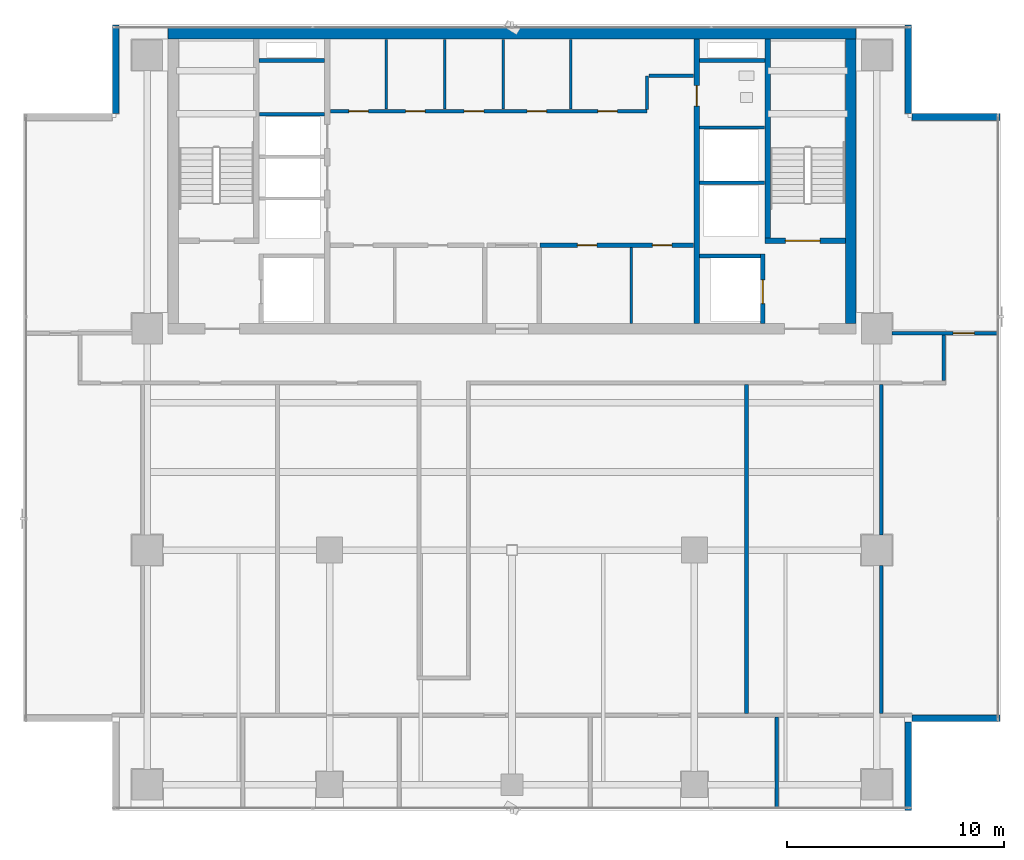
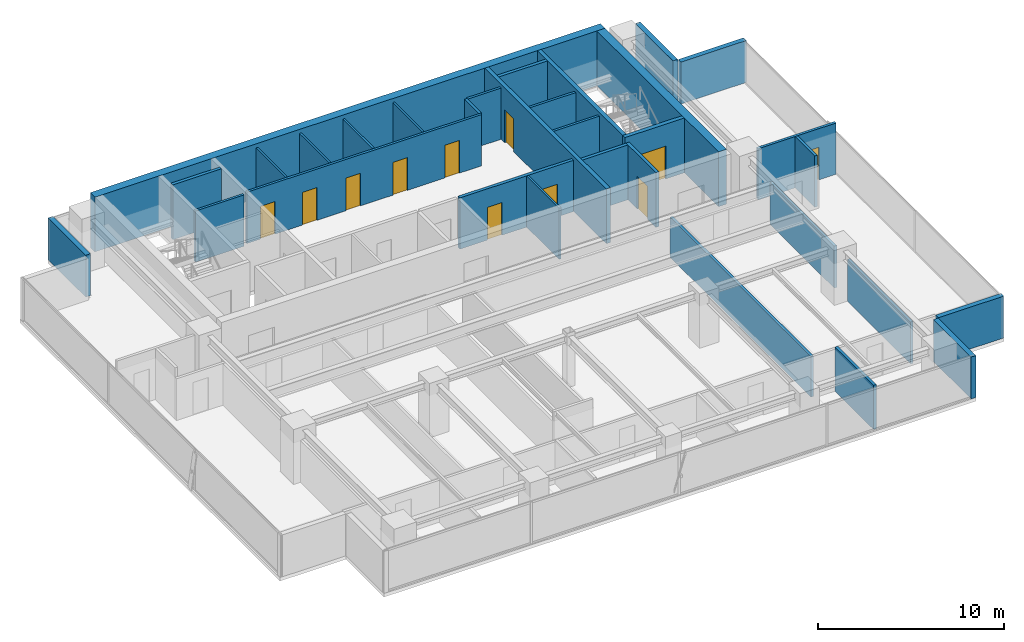
# One storey, part 21 of 26: 32 walls, 11 doors, 11 openings.
"""IFC4 building model written with IfcOpenShell, lengths in metres."""

from ifc_helpers import new_model, si_unit, direction, frame, frame_2d, origin, place, context, subcontext, project, spatial, rectangle, extrude, source, transform, mapped, material, layer, layer_set, type_object, element, fill, save


model = new_model("IFC4")

# Units and contexts
model_context = context("Model", 3, precision=1e-05, world=origin(), true_north=direction((0.0, 1.0)))
body_context = subcontext(model_context, "Body", "Model", "MODEL_VIEW")
ifc_project = project(units=[si_unit("LENGTHUNIT", "METRE"), si_unit("AREAUNIT", "SQUARE_METRE"), si_unit("VOLUMEUNIT", "CUBIC_METRE"), si_unit("PLANEANGLEUNIT", "RADIAN"), si_unit("MASSUNIT", "GRAM", prefix="KILO")], contexts=[model_context])

# Site, building, storey
site_placement = place(None, origin())
site = spatial("IfcSite", under=ifc_project, at=site_placement, CompositionType="ELEMENT")
building_placement = place(site_placement, origin())
building = spatial("IfcBuilding", under=site, at=building_placement, Name="Sumidabori Civic Tower", CompositionType="ELEMENT")
storey_placement = place(building_placement, frame((0.0, 0.0, 261.199951171875)))
storey = spatial("IfcBuildingStorey", under=building, at=storey_placement, Name="L68", CompositionType="ELEMENT", Elevation=261.199951171875)

# Walls
ifc_material_1 = material(Name="Concrete C50/60", Category="concrete")
ifc_layer_1 = layer(ifc_material_1, 0.199951171875, Name="Concrete C50/60")
ifc_layer_set_1 = layer_set([ifc_layer_1], Name="Concrete C50/60")
wall_type_1 = type_object("IfcWallType", Name="WL-SHAFT-200", PredefinedType="SHEAR", material=ifc_layer_set_1)
shared_shape_1 = source(origin(), body_context, "Body", "SweptSolid", [
    extrude(rectangle(XDim=2.824951171875, YDim=0.199951171875, at=frame_2d((1.41259765625, 0.0))), origin(), (0.0, 0.0, 1.0), 3.60009765625),
])
wall_1_placement = place(storey_placement, frame((8.625, 13.550048828125, 0.0), z_axis=(0.0, 0.0, 1.0), x_axis=(1.0, 0.0, 0.0)))
element("IfcWall", 1, at=wall_1_placement, inside=storey, type_object=wall_type_1, Name="Core Shear Wall L68 EL2-N", PredefinedType="SHEAR", context=body_context, shape_type="MappedRepresentation", body=[
    mapped(shared_shape_1, transform((0.0, 0.0, 0.0), x_axis=(1.0, 0.0, 0.0), y_axis=(0.0, 1.0, 0.0), z_axis=(0.0, 0.0, 1.0), scale=1.0)),
])
shared_shape_2 = source(origin(), body_context, "Body", "SweptSolid", [
    extrude(rectangle(XDim=3.02001953125, YDim=0.199951171875, at=frame_2d((1.510009765625, 0.0))), origin(), (0.0, 0.0, 1.0), 3.60009765625),
])
for number, where, z_axis, x_axis, name in (
    (2, (-11.64501953125, 22.550048828125, 0.0), (0.0, 0.0, 1.0), (1.0, 0.0, 0.0), "Core Shear Wall L68 RIS1-S"),
    (3, (8.625, 22.550048828125, 0.0), (0.0, 0.0, 1.0), (1.0, 0.0, 0.0), "Core Shear Wall L68 RIS2-S"),
):
    element("IfcWall", number, at=place(storey_placement, frame(where, z_axis=z_axis, x_axis=x_axis)), inside=storey, type_object=wall_type_1, Name=name, PredefinedType="SHEAR", context=body_context, shape_type="MappedRepresentation", body=[
        mapped(shared_shape_2, transform((0.0, 0.0, 0.0), x_axis=(1.0, 0.0, 0.0), y_axis=(0.0, 1.0, 0.0), z_axis=(0.0, 0.0, 1.0), scale=1.0)),
    ])
ifc_layer_2 = layer(ifc_material_1, 0.5, Name="Concrete C50/60")
ifc_layer_set_2 = layer_set([ifc_layer_2], Name="Concrete C50/60")
wall_type_2 = type_object("IfcWallType", Name="WL-CORE-500", PredefinedType="SHEAR", material=ifc_layer_set_2)
shared_shape_3 = source(origin(), body_context, "Body", "SweptSolid", [
    extrude(rectangle(XDim=31.7001953125, YDim=0.5, at=frame_2d((15.85009765625, 0.0))), origin(), (0.0, 0.0, 1.0), 3.60009765625),
])
wall_2_placement = place(storey_placement, frame((-15.85009765625, 23.800048828125, 0.0), z_axis=(0.0, 0.0, 1.0), x_axis=(1.0, 0.0, 0.0)))
element("IfcWall", 4, at=wall_2_placement, inside=storey, type_object=wall_type_2, Name="Core Shear Wall L68 N", PredefinedType="SHEAR", context=body_context, shape_type="MappedRepresentation", body=[
    mapped(shared_shape_3, transform((0.0, 0.0, 0.0), x_axis=(1.0, 0.0, 0.0), y_axis=(0.0, 1.0, 0.0), z_axis=(0.0, 0.0, 1.0), scale=1.0)),
])
shared_shape_4 = source(origin(), body_context, "Body", "SweptSolid", [
    extrude(rectangle(XDim=13.10009765625, YDim=0.5, at=frame_2d((6.550048828125, 0.0))), origin(), (0.0, 0.0, 1.0), 3.60009765625),
])
wall_3_placement = place(storey_placement, frame((15.60009765625, 10.449951171875, 0.0), z_axis=(0.0, 0.0, 1.0), x_axis=(0.0, 1.0, 0.0)))
element("IfcWall", 5, at=wall_3_placement, inside=storey, type_object=wall_type_2, Name="Core Shear Wall L68 E", PredefinedType="SHEAR", context=body_context, shape_type="MappedRepresentation", body=[
    mapped(shared_shape_4, transform((0.0, 0.0, 0.0), x_axis=(1.0, 0.0, 0.0), y_axis=(0.0, 1.0, 0.0), z_axis=(0.0, 0.0, 1.0), scale=1.0)),
])

# Wall, opening, door
ifc_layer_3 = layer(ifc_material_1, 0.25, Name="Concrete C50/60")
ifc_layer_set_3 = layer_set([ifc_layer_3], Name="Concrete C50/60")
wall_type_3 = type_object("IfcWallType", Name="WL-SHAFT-250", PredefinedType="SHEAR", material=ifc_layer_set_3)
shared_shape_5 = source(origin(), body_context, "Body", "SweptSolid", [
    extrude(rectangle(XDim=13.10009765625, YDim=0.25, at=frame_2d((6.550048828125, 0.0))), origin(), (0.0, 0.0, 1.0), 3.60009765625),
])
wall_4_placement = place(storey_placement, frame((8.5, 10.449951171875, 0.0), z_axis=(0.0, 0.0, 1.0), x_axis=(0.0, 1.0, 0.0)))
wall_4 = element("IfcWall", 6, at=wall_4_placement, inside=storey, type_object=wall_type_3, Name="Core Shear Wall L68 WEB-E", PredefinedType="SHEAR", context=body_context, shape_type="MappedRepresentation", body=[
    mapped(shared_shape_5, transform((0.0, 0.0, 0.0), x_axis=(1.0, 0.0, 0.0), y_axis=(0.0, 1.0, 0.0), z_axis=(0.0, 0.0, 1.0), scale=1.0)),
])
opening_1_placement = place(wall_4_placement, frame((10.0, 0.0, 0.0)))
opening_1 = element("IfcOpeningElement", 7, at=opening_1_placement, cuts=wall_4, Name="Opening DR-2", PredefinedType="OPENING", context=body_context, shape_type="SweptSolid", body=[
    extrude(rectangle(XDim=0.949951171875, YDim=2.14990234375, at=frame_2d((0.47509765625, 1.074951171875))), frame((0.0, 0.136962890625, 0.0), z_axis=(0.0, -1.0, 0.0), x_axis=(1.0, 0.0, 0.0)), (0.0, 0.0, 1.0), 0.27392578125),
])
ifc_material_2 = material(Name="Japanese Hinoki Timber", Category="wood")
door_type_1 = type_object("IfcDoorType", Name="DR-INT-950", OperationType="NOTDEFINED", PredefinedType="DOOR", material=ifc_material_2)
shared_shape_6 = source(origin(), body_context, "Body", "SweptSolid", [
    extrude(rectangle(XDim=0.949951171875, YDim=2.14990234375, at=frame_2d((0.47509765625, 1.074951171875))), frame((0.0, 0.02490234375, 0.0), z_axis=(0.0, -1.0, 0.0), x_axis=(1.0, 0.0, 0.0)), (0.0, 0.0, 1.0), 0.050048828125),
])
door_1_placement = place(opening_1_placement, origin())
door_1 = element("IfcDoor", 8, at=door_1_placement, inside=storey, type_object=door_type_1, Name="Door DR:L68:WC-ACC", OperationType="SINGLE_SWING_RIGHT", OverallHeight=2.14990234375, OverallWidth=0.949951171875, PredefinedType="DOOR", context=body_context, shape_type="MappedRepresentation", body=[
    mapped(shared_shape_6, transform((0.0, 0.0, 0.0), x_axis=(1.0, 0.0, 0.0), y_axis=(0.0, 1.0, 0.0), z_axis=(0.0, 0.0, 1.0), scale=1.0)),
])
fill(opening_1, door_1)

shared_shape_7 = source(origin(), body_context, "Body", "SweptSolid", [
    extrude(rectangle(XDim=3.705078125, YDim=0.25, at=frame_2d((1.8525390625, 0.0))), origin(), (0.0, 0.0, 1.0), 3.60009765625),
])
wall_5_placement = place(storey_placement, frame((11.64501953125, 14.25, 0.0), z_axis=(0.0, 0.0, 1.0), x_axis=(1.0, 0.0, 0.0)))
wall_5 = element("IfcWall", 9, at=wall_5_placement, inside=storey, type_object=wall_type_3, Name="Core Shear Wall L68 ST2-S", PredefinedType="SHEAR", context=body_context, shape_type="MappedRepresentation", body=[
    mapped(shared_shape_7, transform((0.0, 0.0, 0.0), x_axis=(1.0, 0.0, 0.0), y_axis=(0.0, 1.0, 0.0), z_axis=(0.0, 0.0, 1.0), scale=1.0)),
])
opening_2_placement = place(wall_5_placement, frame((0.949951171875, 0.0, 0.0)))
opening_2 = element("IfcOpeningElement", 10, at=opening_2_placement, cuts=wall_5, Name="Opening DR-FD4", PredefinedType="OPENING", context=body_context, shape_type="SweptSolid", body=[
    extrude(rectangle(XDim=1.60009765625, YDim=2.14990234375, at=frame_2d((0.800048828125, 1.074951171875))), frame((0.0, 0.136962890625, 0.0), z_axis=(0.0, -1.0, 0.0), x_axis=(1.0, 0.0, 0.0)), (0.0, 0.0, 1.0), 0.27392578125),
])
ifc_material_3 = material(Name="Steel SN490", Category="steel")
door_type_2 = type_object("IfcDoorType", Name="DR-FD4", OperationType="DOUBLE_DOOR_SINGLE_SWING", PredefinedType="DOOR", material=ifc_material_3)
shared_shape_8 = source(origin(), body_context, "Body", "SweptSolid", [
    extrude(rectangle(XDim=1.60009765625, YDim=2.14990234375, at=frame_2d((0.800048828125, 1.074951171875))), frame((0.0, 0.02490234375, 0.0), z_axis=(0.0, -1.0, 0.0), x_axis=(1.0, 0.0, 0.0)), (0.0, 0.0, 1.0), 0.050048828125),
])
door_2_placement = place(opening_2_placement, origin())
door_2 = element("IfcDoor", 11, at=door_2_placement, inside=storey, type_object=door_type_2, Name="Door DR:L68:ST2", OperationType="DOUBLE_DOOR_SINGLE_SWING", OverallHeight=2.14990234375, OverallWidth=1.60009765625, PredefinedType="DOOR", context=body_context, shape_type="MappedRepresentation", body=[
    mapped(shared_shape_8, transform((0.0, 0.0, 0.0), x_axis=(1.0, 0.0, 0.0), y_axis=(0.0, 1.0, 0.0), z_axis=(0.0, 0.0, 1.0), scale=1.0)),
])
fill(opening_2, door_2)

# Wall
shared_shape_9 = source(origin(), body_context, "Body", "SweptSolid", [
    extrude(rectangle(XDim=9.175048828125, YDim=0.25, at=frame_2d((4.58740234375, 0.0))), origin(), (0.0, 0.0, 1.0), 3.60009765625),
])
wall_6_placement = place(storey_placement, frame((11.77001953125, 14.375, 0.0), z_axis=(0.0, 0.0, 1.0), x_axis=(0.0, 1.0, 0.0)))
element("IfcWall", 12, at=wall_6_placement, inside=storey, type_object=wall_type_3, Name="Core Shear Wall L68 ST2-W", PredefinedType="SHEAR", context=body_context, shape_type="MappedRepresentation", body=[
    mapped(shared_shape_9, transform((0.0, 0.0, 0.0), x_axis=(1.0, 0.0, 0.0), y_axis=(0.0, 1.0, 0.0), z_axis=(0.0, 0.0, 1.0), scale=1.0)),
])

# Wall, opening, door
shared_shape_10 = source(origin(), body_context, "Body", "SweptSolid", [
    extrude(rectangle(XDim=3.199951171875, YDim=0.199951171875, at=frame_2d((1.60009765625, 0.0))), origin(), (0.0, 0.0, 1.0), 3.60009765625),
])
wall_7_placement = place(storey_placement, frame((11.550048828125, 10.449951171875, 0.0), z_axis=(0.0, 0.0, 1.0), x_axis=(0.0, 1.0, 0.0)))
wall_7 = element("IfcWall", 13, at=wall_7_placement, inside=storey, type_object=wall_type_1, Name="Core Shear Wall L68 EL2-E", PredefinedType="SHEAR", context=body_context, shape_type="MappedRepresentation", body=[
    mapped(shared_shape_10, transform((0.0, 0.0, 0.0), x_axis=(1.0, 0.0, 0.0), y_axis=(0.0, 1.0, 0.0), z_axis=(0.0, 0.0, 1.0), scale=1.0)),
])
opening_3_placement = place(wall_7_placement, frame((0.89990234375, 0.0, 0.0)))
opening_3 = element("IfcOpeningElement", 14, at=opening_3_placement, cuts=wall_7, Name="Opening LD-2", PredefinedType="OPENING", context=body_context, shape_type="SweptSolid", body=[
    extrude(rectangle(XDim=1.10009765625, YDim=2.14990234375, at=frame_2d((0.550048828125, 1.074951171875))), frame((0.0, 0.11181640625, 0.0), z_axis=(0.0, -1.0, 0.0), x_axis=(1.0, 0.0, 0.0)), (0.0, 0.0, 1.0), 0.223876953125),
])
ifc_material_4 = material(Name="Stainless Steel Hairline Finish", Category="steel")
door_type_3 = type_object("IfcDoorType", Name="DR-LD2", OperationType="DOUBLE_DOOR_SLIDING", PredefinedType="DOOR", material=ifc_material_4)
shared_shape_11 = source(origin(), body_context, "Body", "SweptSolid", [
    extrude(rectangle(XDim=1.10009765625, YDim=2.14990234375, at=frame_2d((0.550048828125, 1.074951171875))), frame((0.0, 0.02490234375, 0.0), z_axis=(0.0, -1.0, 0.0), x_axis=(1.0, 0.0, 0.0)), (0.0, 0.0, 1.0), 0.050048828125),
])
door_3_placement = place(opening_3_placement, origin())
door_3 = element("IfcDoor", 15, at=door_3_placement, inside=storey, type_object=door_type_3, Name="Door DR:L68:LD-EL2", OperationType="DOUBLE_DOOR_SLIDING", OverallHeight=2.14990234375, OverallWidth=1.10009765625, PredefinedType="DOOR", context=body_context, shape_type="MappedRepresentation", body=[
    mapped(shared_shape_11, transform((0.0, 0.0, 0.0), x_axis=(1.0, 0.0, 0.0), y_axis=(0.0, 1.0, 0.0), z_axis=(0.0, 0.0, 1.0), scale=1.0)),
])
fill(opening_3, door_3)

# Walls
ifc_material_5 = material(Name="Precast concrete C40/50", Category="concrete")
ifc_layer_4 = layer(ifc_material_5, 0.300048828125, Name="Precast concrete C40/50")
ifc_layer_set_4 = layer_set([ifc_layer_4], Name="Precast concrete C40/50")
wall_type_4 = type_object("IfcWallType", Name="WL-EXT-POD300", PredefinedType="STANDARD", material=ifc_layer_set_4)
shared_shape_12 = source(origin(), body_context, "Body", "SweptSolid", [
    extrude(rectangle(XDim=4.06005859375, YDim=0.300048828125, at=frame_2d((2.030029296875, 0.0))), origin(), (0.0, 0.0, 1.0), 2.75),
])
for number, where, z_axis, x_axis, name in (
    (16, (18.25, -11.97998046875, 0.0), (0.0, 0.0, 1.0), (0.0, 1.0, 0.0), "Notched Corner Spandrel Band L68-02"),
    (17, (18.419921875, -7.75, 0.0), (0.0, 0.0, 1.0), (1.0, 0.0, 0.0), "Notched Corner Spandrel Band L68-03"),
    (18, (22.47998046875, 19.949951171875, 0.0), (0.0, 0.0, 1.0), (-1.0, 0.0, 0.0), "Notched Corner Spandrel Band L68-05"),
):
    element("IfcWall", number, at=place(storey_placement, frame(where, z_axis=z_axis, x_axis=x_axis)), inside=storey, type_object=wall_type_4, Name=name, PredefinedType="STANDARD", context=body_context, shape_type="MappedRepresentation", body=[
        mapped(shared_shape_12, transform((0.0, 0.0, 0.0), x_axis=(1.0, 0.0, 0.0), y_axis=(0.0, 1.0, 0.0), z_axis=(0.0, 0.0, 1.0), scale=1.0)),
    ])
shared_shape_13 = source(origin(), body_context, "Body", "SweptSolid", [
    extrude(rectangle(XDim=4.059814453125, YDim=0.300048828125, at=frame_2d((2.02978515625, 0.0))), origin(), (0.0, 0.0, 1.0), 2.75),
])
for number, where, z_axis, x_axis, name in (
    (19, (18.25, 20.1201171875, 0.0), (0.0, 0.0, 1.0), (0.0, 1.0, 0.0), "Notched Corner Spandrel Band L68-06"),
    (20, (-18.25, 24.179931640625, 0.0), (0.0, 0.0, 1.0), (0.0, -1.0, 0.0), "Notched Corner Spandrel Band L68-08"),
):
    element("IfcWall", number, at=place(storey_placement, frame(where, z_axis=z_axis, x_axis=x_axis)), inside=storey, type_object=wall_type_4, Name=name, PredefinedType="STANDARD", context=body_context, shape_type="MappedRepresentation", body=[
        mapped(shared_shape_13, transform((0.0, 0.0, 0.0), x_axis=(1.0, 0.0, 0.0), y_axis=(0.0, 1.0, 0.0), z_axis=(0.0, 0.0, 1.0), scale=1.0)),
    ])
ifc_material_6 = material(Name="Gypsum Plasterboard Acoustic Partition")
ifc_layer_5 = layer(ifc_material_6, 0.14990234375, Name="Gypsum Plasterboard Acoustic Partition")
ifc_layer_set_5 = layer_set([ifc_layer_5], Name="Gypsum Plasterboard Acoustic Partition")
wall_type_5 = type_object("IfcWallType", Name="WL-PART-150", PredefinedType="PARTITIONING", material=ifc_layer_set_5)
shared_shape_14 = source(origin(), body_context, "Body", "SweptSolid", [
    extrude(rectangle(XDim=3.010009765625, YDim=0.14990234375, at=frame_2d((1.5048828125, 0.0))), origin(), (0.0, 0.0, 1.0), 3.3701171875),
])
for number, where, z_axis, x_axis, name in (
    (21, (-11.639892578125, 20.080078125, 0.0), (0.0, 0.0, 1.0), (1.0, 0.0, 0.0), "Interior Partition WL:L68:DIV-PLH3"),
    (22, (8.6298828125, 16.919921875, 0.0), (0.0, 0.0, 1.0), (1.0, 0.0, 0.0), "Interior Partition WL:L68:DIV-OBS1"),
    (23, (8.6298828125, 19.469970703125, 0.0), (0.0, 0.0, 1.0), (1.0, 0.0, 0.0), "Interior Partition WL:L68:DIV-OBS2"),
):
    element("IfcWall", number, at=place(storey_placement, frame(where, z_axis=z_axis, x_axis=x_axis)), inside=storey, type_object=wall_type_5, Name=name, PredefinedType="PARTITIONING", context=body_context, shape_type="MappedRepresentation", body=[
        mapped(shared_shape_14, transform((0.0, 0.0, 0.0), x_axis=(1.0, 0.0, 0.0), y_axis=(0.0, 1.0, 0.0), z_axis=(0.0, 0.0, 1.0), scale=1.0)),
    ])

# Wall, openings, doors
ifc_material_7 = material(Name="Gypsum Plasterboard Fire Partition")
ifc_layer_6 = layer(ifc_material_7, 0.199951171875, Name="Gypsum Plasterboard Fire Partition")
ifc_layer_set_6 = layer_set([ifc_layer_6], Name="Gypsum Plasterboard Fire Partition")
wall_type_6 = type_object("IfcWallType", Name="WL-PART-FIRE", PredefinedType="PARTITIONING", material=ifc_layer_set_6)
shared_shape_15 = source(origin(), body_context, "Body", "SweptSolid", [
    extrude(rectangle(XDim=7.070068359375, YDim=0.199951171875, at=frame_2d((3.53515625, 0.0))), origin(), (0.0, 0.0, 1.0), 3.3701171875),
])
wall_8_placement = place(storey_placement, frame((1.300048828125, 14.050048828125, 0.0), z_axis=(0.0, 0.0, 1.0), x_axis=(1.0, 0.0, 0.0)))
wall_8 = element("IfcWall", 24, at=wall_8_placement, inside=storey, type_object=wall_type_6, Name="Interior Partition WL:L68:CBAND-SE", PredefinedType="PARTITIONING", context=body_context, shape_type="MappedRepresentation", body=[
    mapped(shared_shape_15, transform((0.0, 0.0, 0.0), x_axis=(1.0, 0.0, 0.0), y_axis=(0.0, 1.0, 0.0), z_axis=(0.0, 0.0, 1.0), scale=1.0)),
])
opening_4_placement = place(wall_8_placement, frame((1.7099609375, 0.0, 0.0)))
opening_4 = element("IfcOpeningElement", 25, at=opening_4_placement, cuts=wall_8, Name="Opening DR-1", PredefinedType="OPENING", context=body_context, shape_type="SweptSolid", body=[
    extrude(rectangle(XDim=0.89990234375, YDim=2.14990234375, at=frame_2d((0.449951171875, 1.074951171875))), frame((0.0, 0.11181640625, 0.0), z_axis=(0.0, -1.0, 0.0), x_axis=(1.0, 0.0, 0.0)), (0.0, 0.0, 1.0), 0.223876953125),
])
opening_5_placement = place(wall_8_placement, frame((5.159912109375, 0.0, 0.0)))
opening_5 = element("IfcOpeningElement", 26, at=opening_5_placement, cuts=wall_8, Name="Opening DR-1", PredefinedType="OPENING", context=body_context, shape_type="SweptSolid", body=[
    extrude(rectangle(XDim=0.89990234375, YDim=2.14990234375, at=frame_2d((0.449951171875, 1.074951171875))), frame((0.0, 0.11181640625, 0.0), z_axis=(0.0, -1.0, 0.0), x_axis=(1.0, 0.0, 0.0)), (0.0, 0.0, 1.0), 0.223876953125),
])
door_type_4 = type_object("IfcDoorType", Name="DR-INT-900", OperationType="NOTDEFINED", PredefinedType="DOOR", material=ifc_material_2)
shared_shape_16 = source(origin(), body_context, "Body", "SweptSolid", [
    extrude(rectangle(XDim=0.89990234375, YDim=2.14990234375, at=frame_2d((0.449951171875, 1.074951171875))), frame((0.0, 0.02490234375, 0.0), z_axis=(0.0, -1.0, 0.0), x_axis=(1.0, 0.0, 0.0)), (0.0, 0.0, 1.0), 0.050048828125),
])
door_4_placement = place(opening_4_placement, origin())
door_4 = element("IfcDoor", 27, at=door_4_placement, inside=storey, type_object=door_type_4, Name="Door DR:L68:REC-B2A", OperationType="SINGLE_SWING_LEFT", OverallHeight=2.14990234375, OverallWidth=0.89990234375, PredefinedType="DOOR", context=body_context, shape_type="MappedRepresentation", body=[
    mapped(shared_shape_16, transform((0.0, 0.0, 0.0), x_axis=(1.0, 0.0, 0.0), y_axis=(0.0, 1.0, 0.0), z_axis=(0.0, 0.0, 1.0), scale=1.0)),
])
fill(opening_4, door_4)
door_5_placement = place(opening_5_placement, origin())
door_5 = element("IfcDoor", 28, at=door_5_placement, inside=storey, type_object=door_type_4, Name="Door DR:L68:REC-B2B", OperationType="SINGLE_SWING_RIGHT", OverallHeight=2.14990234375, OverallWidth=0.89990234375, PredefinedType="DOOR", context=body_context, shape_type="MappedRepresentation", body=[
    mapped(shared_shape_16, transform((0.0, 0.0, 0.0), x_axis=(1.0, 0.0, 0.0), y_axis=(0.0, 1.0, 0.0), z_axis=(0.0, 0.0, 1.0), scale=1.0)),
])
fill(opening_5, door_5)

shared_shape_17 = source(origin(), body_context, "Body", "SweptSolid", [
    extrude(rectangle(XDim=14.590087890625, YDim=0.14990234375, at=frame_2d((7.294921875, 0.0))), origin(), (0.0, 0.0, 1.0), 3.3701171875),
])
wall_9_placement = place(storey_placement, frame((-8.3701171875, 20.219970703125, 0.0), z_axis=(0.0, 0.0, 1.0), x_axis=(1.0, 0.0, 0.0)))
wall_9 = element("IfcWall", 29, at=wall_9_placement, inside=storey, type_object=wall_type_5, Name="Interior Partition WL:L68:CBAND-M", PredefinedType="PARTITIONING", context=body_context, shape_type="MappedRepresentation", body=[
    mapped(shared_shape_17, transform((0.0, 0.0, 0.0), x_axis=(1.0, 0.0, 0.0), y_axis=(0.0, 1.0, 0.0), z_axis=(0.0, 0.0, 1.0), scale=1.0)),
])
opening_6_placement = place(wall_9_placement, frame((0.860107421875, 0.0, 0.0)))
opening_6 = element("IfcOpeningElement", 30, at=opening_6_placement, cuts=wall_9, Name="Opening DR-1", PredefinedType="OPENING", context=body_context, shape_type="SweptSolid", body=[
    extrude(rectangle(XDim=0.89990234375, YDim=2.14990234375, at=frame_2d((0.449951171875, 1.074951171875))), frame((0.0, 0.0869140625, 0.0), z_axis=(0.0, -1.0, 0.0), x_axis=(1.0, 0.0, 0.0)), (0.0, 0.0, 1.0), 0.173828125),
])
opening_7_placement = place(wall_9_placement, frame((3.469970703125, 0.0, 0.0)))
opening_7 = element("IfcOpeningElement", 31, at=opening_7_placement, cuts=wall_9, Name="Opening DR-1", PredefinedType="OPENING", context=body_context, shape_type="SweptSolid", body=[
    extrude(rectangle(XDim=0.89990234375, YDim=2.14990234375, at=frame_2d((0.449951171875, 1.074951171875))), frame((0.0, 0.0869140625, 0.0), z_axis=(0.0, -1.0, 0.0), x_axis=(1.0, 0.0, 0.0)), (0.0, 0.0, 1.0), 0.173828125),
])
opening_8_placement = place(wall_9_placement, frame((6.169921875, 0.0, 0.0)))
opening_8 = element("IfcOpeningElement", 32, at=opening_8_placement, cuts=wall_9, Name="Opening DR-1", PredefinedType="OPENING", context=body_context, shape_type="SweptSolid", body=[
    extrude(rectangle(XDim=0.89990234375, YDim=2.14990234375, at=frame_2d((0.449951171875, 1.074951171875))), frame((0.0, 0.0869140625, 0.0), z_axis=(0.0, -1.0, 0.0), x_axis=(1.0, 0.0, 0.0)), (0.0, 0.0, 1.0), 0.173828125),
])
opening_9_placement = place(wall_9_placement, frame((9.070068359375, 0.0, 0.0)))
opening_9 = element("IfcOpeningElement", 33, at=opening_9_placement, cuts=wall_9, Name="Opening DR-1", PredefinedType="OPENING", context=body_context, shape_type="SweptSolid", body=[
    extrude(rectangle(XDim=0.89990234375, YDim=2.14990234375, at=frame_2d((0.449951171875, 1.074951171875))), frame((0.0, 0.0869140625, 0.0), z_axis=(0.0, -1.0, 0.0), x_axis=(1.0, 0.0, 0.0)), (0.0, 0.0, 1.0), 0.173828125),
])
opening_10_placement = place(wall_9_placement, frame((12.320068359375, 0.0, 0.0)))
opening_10 = element("IfcOpeningElement", 34, at=opening_10_placement, cuts=wall_9, Name="Opening DR-1", PredefinedType="OPENING", context=body_context, shape_type="SweptSolid", body=[
    extrude(rectangle(XDim=0.89990234375, YDim=2.14990234375, at=frame_2d((0.449951171875, 1.074951171875))), frame((0.0, 0.0869140625, 0.0), z_axis=(0.0, -1.0, 0.0), x_axis=(1.0, 0.0, 0.0)), (0.0, 0.0, 1.0), 0.173828125),
])
door_6_placement = place(opening_6_placement, origin())
door_6 = element("IfcDoor", 35, at=door_6_placement, inside=storey, type_object=door_type_4, Name="Door DR:L68:CB-1", OperationType="SINGLE_SWING_LEFT", OverallHeight=2.14990234375, OverallWidth=0.89990234375, PredefinedType="DOOR", context=body_context, shape_type="MappedRepresentation", body=[
    mapped(shared_shape_16, transform((0.0, 0.0, 0.0), x_axis=(1.0, 0.0, 0.0), y_axis=(0.0, 1.0, 0.0), z_axis=(0.0, 0.0, 1.0), scale=1.0)),
])
fill(opening_6, door_6)
door_7_placement = place(opening_7_placement, origin())
door_7 = element("IfcDoor", 36, at=door_7_placement, inside=storey, type_object=door_type_4, Name="Door DR:L68:CB-2", OperationType="SINGLE_SWING_RIGHT", OverallHeight=2.14990234375, OverallWidth=0.89990234375, PredefinedType="DOOR", context=body_context, shape_type="MappedRepresentation", body=[
    mapped(shared_shape_16, transform((0.0, 0.0, 0.0), x_axis=(1.0, 0.0, 0.0), y_axis=(0.0, 1.0, 0.0), z_axis=(0.0, 0.0, 1.0), scale=1.0)),
])
fill(opening_7, door_7)
door_8_placement = place(opening_8_placement, origin())
door_8 = element("IfcDoor", 37, at=door_8_placement, inside=storey, type_object=door_type_4, Name="Door DR:L68:CB-3", OperationType="SINGLE_SWING_LEFT", OverallHeight=2.14990234375, OverallWidth=0.89990234375, PredefinedType="DOOR", context=body_context, shape_type="MappedRepresentation", body=[
    mapped(shared_shape_16, transform((0.0, 0.0, 0.0), x_axis=(1.0, 0.0, 0.0), y_axis=(0.0, 1.0, 0.0), z_axis=(0.0, 0.0, 1.0), scale=1.0)),
])
fill(opening_8, door_8)
door_9_placement = place(opening_9_placement, origin())
door_9 = element("IfcDoor", 38, at=door_9_placement, inside=storey, type_object=door_type_4, Name="Door DR:L68:CB-4", OperationType="SINGLE_SWING_RIGHT", OverallHeight=2.14990234375, OverallWidth=0.89990234375, PredefinedType="DOOR", context=body_context, shape_type="MappedRepresentation", body=[
    mapped(shared_shape_16, transform((0.0, 0.0, 0.0), x_axis=(1.0, 0.0, 0.0), y_axis=(0.0, 1.0, 0.0), z_axis=(0.0, 0.0, 1.0), scale=1.0)),
])
fill(opening_9, door_9)
door_10_placement = place(opening_10_placement, origin())
door_10 = element("IfcDoor", 39, at=door_10_placement, inside=storey, type_object=door_type_4, Name="Door DR:L68:CB-5", OperationType="SINGLE_SWING_LEFT", OverallHeight=2.14990234375, OverallWidth=0.89990234375, PredefinedType="DOOR", context=body_context, shape_type="MappedRepresentation", body=[
    mapped(shared_shape_16, transform((0.0, 0.0, 0.0), x_axis=(1.0, 0.0, 0.0), y_axis=(0.0, 1.0, 0.0), z_axis=(0.0, 0.0, 1.0), scale=1.0)),
])
fill(opening_10, door_10)

# Walls
shared_shape_18 = source(origin(), body_context, "Body", "SweptSolid", [
    extrude(rectangle(XDim=1.550048828125, YDim=0.14990234375, at=frame_2d((0.77490234375, 0.0))), origin(), (0.0, 0.0, 1.0), 3.3701171875),
])
wall_10_placement = place(storey_placement, frame((6.219970703125, 20.300048828125, 0.0), z_axis=(0.0, 0.0, 1.0), x_axis=(0.0, 1.0, 0.0)))
element("IfcWall", 40, at=wall_10_placement, inside=storey, type_object=wall_type_5, Name="Interior Partition WL:L68:CBAND-ME1", PredefinedType="PARTITIONING", context=body_context, shape_type="MappedRepresentation", body=[
    mapped(shared_shape_18, transform((0.0, 0.0, 0.0), x_axis=(1.0, 0.0, 0.0), y_axis=(0.0, 1.0, 0.0), z_axis=(0.0, 0.0, 1.0), scale=1.0)),
])
shared_shape_19 = source(origin(), body_context, "Body", "SweptSolid", [
    extrude(rectangle(XDim=2.070068359375, YDim=0.14990234375, at=frame_2d((1.03515625, 0.0))), origin(), (0.0, 0.0, 1.0), 3.3701171875),
])
wall_11_placement = place(storey_placement, frame((6.300048828125, 21.85009765625, 0.0), z_axis=(0.0, 0.0, 1.0), x_axis=(1.0, 0.0, 0.0)))
element("IfcWall", 41, at=wall_11_placement, inside=storey, type_object=wall_type_5, Name="Interior Partition WL:L68:CBAND-ME2", PredefinedType="PARTITIONING", context=body_context, shape_type="MappedRepresentation", body=[
    mapped(shared_shape_19, transform((0.0, 0.0, 0.0), x_axis=(1.0, 0.0, 0.0), y_axis=(0.0, 1.0, 0.0), z_axis=(0.0, 0.0, 1.0), scale=1.0)),
])
ifc_layer_7 = layer(ifc_material_6, 0.1201171875, Name="Gypsum Plasterboard Acoustic Partition")
ifc_layer_set_7 = layer_set([ifc_layer_7], Name="Gypsum Plasterboard Acoustic Partition")
wall_type_7 = type_object("IfcWallType", Name="WL-PART-120", PredefinedType="PARTITIONING", material=ifc_layer_set_7)
shared_shape_20 = source(origin(), body_context, "Body", "SweptSolid", [
    extrude(rectangle(XDim=3.489990234375, YDim=0.1201171875, at=frame_2d((1.7451171875, 0.0))), origin(), (0.0, 0.0, 1.0), 3.3701171875),
])
wall_12_placement = place(storey_placement, frame((5.5, 10.449951171875, 0.0), z_axis=(0.0, 0.0, 1.0), x_axis=(0.0, 1.0, 0.0)))
element("IfcWall", 42, at=wall_12_placement, inside=storey, type_object=wall_type_7, Name="Interior Partition WL:L68:REC-B2-SP", PredefinedType="PARTITIONING", context=body_context, shape_type="MappedRepresentation", body=[
    mapped(shared_shape_20, transform((0.0, 0.0, 0.0), x_axis=(1.0, 0.0, 0.0), y_axis=(0.0, 1.0, 0.0), z_axis=(0.0, 0.0, 1.0), scale=1.0)),
])
shared_shape_21 = source(origin(), body_context, "Body", "SweptSolid", [
    extrude(rectangle(XDim=3.18994140625, YDim=0.1201171875, at=frame_2d((1.594970703125, 0.0))), origin(), (0.0, 0.0, 1.0), 3.3701171875),
])
for number, where, z_axis, x_axis, name in (
    (43, (-5.800048828125, 20.320068359375, 0.0), (0.0, 0.0, 1.0), (0.0, 1.0, 0.0), "Interior Partition WL:L68:LV8-S1"),
    (44, (-3.10009765625, 20.320068359375, 0.0), (0.0, 0.0, 1.0), (0.0, 1.0, 0.0), "Interior Partition WL:L68:LV8-S2"),
    (45, (-0.39990234375, 20.320068359375, 0.0), (0.0, 0.0, 1.0), (0.0, 1.0, 0.0), "Interior Partition WL:L68:LV8-S3"),
    (46, (2.699951171875, 20.320068359375, 0.0), (0.0, 0.0, 1.0), (0.0, 1.0, 0.0), "Interior Partition WL:L68:LV8-S4"),
):
    element("IfcWall", number, at=place(storey_placement, frame(where, z_axis=z_axis, x_axis=x_axis)), inside=storey, type_object=wall_type_7, Name=name, PredefinedType="PARTITIONING", context=body_context, shape_type="MappedRepresentation", body=[
        mapped(shared_shape_21, transform((0.0, 0.0, 0.0), x_axis=(1.0, 0.0, 0.0), y_axis=(0.0, 1.0, 0.0), z_axis=(0.0, 0.0, 1.0), scale=1.0)),
    ])

# Wall, opening, door
ifc_layer_8 = layer(ifc_material_6, 0.1650390625, Name="Gypsum Plasterboard Acoustic Partition")
ifc_layer_set_8 = layer_set([ifc_layer_8], Name="Gypsum Plasterboard Acoustic Partition")
wall_type_8 = type_object("IfcWallType", Name="WL-PART-165", PredefinedType="PARTITIONING", material=ifc_layer_set_8)
shared_shape_22 = source(origin(), body_context, "Body", "SweptSolid", [
    extrude(rectangle(XDim=4.840087890625, YDim=0.1650390625, at=frame_2d((2.419921875, 0.0))), origin(), (0.0, 0.0, 1.0), 3.3701171875),
])
wall_13_placement = place(storey_placement, frame((17.510009765625, 10.0, 0.0), z_axis=(0.0, 0.0, 1.0), x_axis=(1.0, 0.0, 0.0)))
wall_13 = element("IfcWall", 47, at=wall_13_placement, inside=storey, type_object=wall_type_8, Name="Interior Partition WL:L68:FLK-NE", PredefinedType="PARTITIONING", context=body_context, shape_type="MappedRepresentation", body=[
    mapped(shared_shape_22, transform((0.0, 0.0, 0.0), x_axis=(1.0, 0.0, 0.0), y_axis=(0.0, 1.0, 0.0), z_axis=(0.0, 0.0, 1.0), scale=1.0)),
])
opening_11_placement = place(wall_13_placement, frame((2.81005859375, 0.0, 0.0)))
opening_11 = element("IfcOpeningElement", 48, at=opening_11_placement, cuts=wall_13, Name="Opening DR-3", PredefinedType="OPENING", context=body_context, shape_type="SweptSolid", body=[
    extrude(rectangle(XDim=0.97998046875, YDim=2.14990234375, at=frame_2d((0.489990234375, 1.074951171875))), frame((0.0, 0.094482421875, 0.0), z_axis=(0.0, -1.0, 0.0), x_axis=(1.0, 0.0, 0.0)), (0.0, 0.0, 1.0), 0.18896484375),
])
door_type_5 = type_object("IfcDoorType", Name="DR-INT-980", OperationType="NOTDEFINED", PredefinedType="DOOR", material=ifc_material_2)
shared_shape_23 = source(origin(), body_context, "Body", "SweptSolid", [
    extrude(rectangle(XDim=0.97998046875, YDim=2.14990234375, at=frame_2d((0.489990234375, 1.074951171875))), frame((0.0, 0.02490234375, 0.0), z_axis=(0.0, -1.0, 0.0), x_axis=(1.0, 0.0, 0.0)), (0.0, 0.0, 1.0), 0.050048828125),
])
door_11_placement = place(opening_11_placement, origin())
door_11 = element("IfcDoor", 49, at=door_11_placement, inside=storey, type_object=door_type_5, Name="Door DR:L68:D07", OperationType="SINGLE_SWING_LEFT", OverallHeight=2.14990234375, OverallWidth=0.97998046875, PredefinedType="DOOR", context=body_context, shape_type="MappedRepresentation", body=[
    mapped(shared_shape_23, transform((0.0, 0.0, 0.0), x_axis=(1.0, 0.0, 0.0), y_axis=(0.0, 1.0, 0.0), z_axis=(0.0, 0.0, 1.0), scale=1.0)),
])
fill(opening_11, door_11)

# Walls
shared_shape_24 = source(origin(), body_context, "Body", "SweptSolid", [
    extrude(rectangle(XDim=2.107666015625, YDim=0.1650390625, at=frame_2d((1.0537109375, 0.0))), origin(), (0.0, 0.0, 1.0), 3.3701171875),
])
wall_14_placement = place(storey_placement, frame((19.882568359375, 7.804931640625, 0.0), z_axis=(0.0, 0.0, 1.0), x_axis=(0.0, 1.0, 0.0)))
element("IfcWall", 50, at=wall_14_placement, inside=storey, type_object=wall_type_8, Name="Interior Partition WL:L68:CORR-VNE", PredefinedType="PARTITIONING", context=body_context, shape_type="MappedRepresentation", body=[
    mapped(shared_shape_24, transform((0.0, 0.0, 0.0), x_axis=(1.0, 0.0, 0.0), y_axis=(0.0, 1.0, 0.0), z_axis=(0.0, 0.0, 1.0), scale=1.0)),
])
shared_shape_25 = source(origin(), body_context, "Body", "SweptSolid", [
    extrude(rectangle(XDim=15.142333984375, YDim=0.1650390625, at=frame_2d((7.5712890625, 0.0))), origin(), (0.0, 0.0, 1.0), 2.655029296875),
])
wall_15_placement = place(storey_placement, frame((10.800048828125, -7.512451171875, 0.0), z_axis=(0.0, 0.0, 1.0), x_axis=(0.0, 1.0, 0.0)))
element("IfcWall", 51, at=wall_15_placement, inside=storey, type_object=wall_type_8, Name="Interior Partition WL:L68:VX-N3", PredefinedType="PARTITIONING", context=body_context, shape_type="MappedRepresentation", body=[
    mapped(shared_shape_25, transform((0.0, 0.0, 0.0), x_axis=(1.0, 0.0, 0.0), y_axis=(0.0, 1.0, 0.0), z_axis=(0.0, 0.0, 1.0), scale=1.0)),
])
shared_shape_26 = source(origin(), body_context, "Body", "SweptSolid", [
    extrude(rectangle(XDim=4.16259765625, YDim=0.1650390625, at=frame_2d((2.081298828125, 0.0))), origin(), (0.0, 0.0, 1.0), 2.905029296875),
])
wall_16_placement = place(storey_placement, frame((12.199951171875, -11.85009765625, 0.0), z_axis=(0.0, 0.0, 1.0), x_axis=(0.0, 1.0, 0.0)))
element("IfcWall", 52, at=wall_16_placement, inside=storey, type_object=wall_type_8, Name="Interior Partition WL:L68:VX-S5", PredefinedType="PARTITIONING", context=body_context, shape_type="MappedRepresentation", body=[
    mapped(shared_shape_26, transform((0.0, 0.0, 0.0), x_axis=(1.0, 0.0, 0.0), y_axis=(0.0, 1.0, 0.0), z_axis=(0.0, 0.0, 1.0), scale=1.0)),
])
shared_shape_27 = source(origin(), body_context, "Body", "SweptSolid", [
    extrude(rectangle(XDim=6.802490234375, YDim=0.1650390625, at=frame_2d((3.4013671875, 0.0))), origin(), (0.0, 0.0, 1.0), 2.755126953125),
])
wall_17_placement = place(storey_placement, frame((17.0, -7.512451171875, 0.0), z_axis=(0.0, 0.0, 1.0), x_axis=(0.0, 1.0, 0.0)))
element("IfcWall", 53, at=wall_17_placement, inside=storey, type_object=wall_type_8, Name="Interior Partition WL:L68:VX-N4-1", PredefinedType="PARTITIONING", context=body_context, shape_type="MappedRepresentation", body=[
    mapped(shared_shape_27, transform((0.0, 0.0, 0.0), x_axis=(1.0, 0.0, 0.0), y_axis=(0.0, 1.0, 0.0), z_axis=(0.0, 0.0, 1.0), scale=1.0)),
])
shared_shape_28 = source(origin(), body_context, "Body", "SweptSolid", [
    extrude(rectangle(XDim=6.919921875, YDim=0.1650390625, at=frame_2d((3.4599609375, 0.0))), origin(), (0.0, 0.0, 1.0), 2.755126953125),
])
wall_18_placement = place(storey_placement, frame((17.0, 0.7099609375, 0.0), z_axis=(0.0, 0.0, 1.0), x_axis=(0.0, 1.0, 0.0)))
element("IfcWall", 54, at=wall_18_placement, inside=storey, type_object=wall_type_8, Name="Interior Partition WL:L68:VX-N4-2", PredefinedType="PARTITIONING", context=body_context, shape_type="MappedRepresentation", body=[
    mapped(shared_shape_28, transform((0.0, 0.0, 0.0), x_axis=(1.0, 0.0, 0.0), y_axis=(0.0, 1.0, 0.0), z_axis=(0.0, 0.0, 1.0), scale=1.0)),
])

save(model, "model.ifc")
